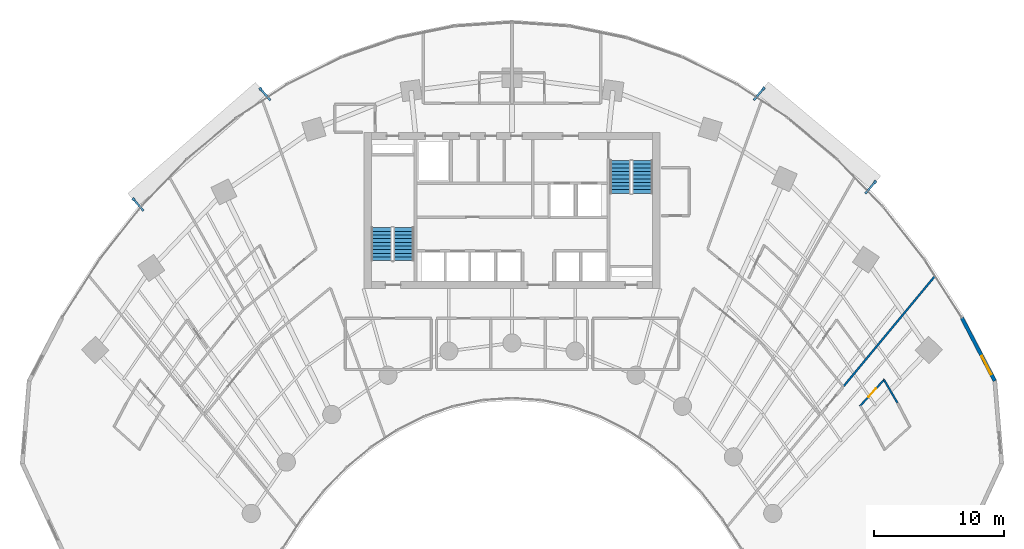
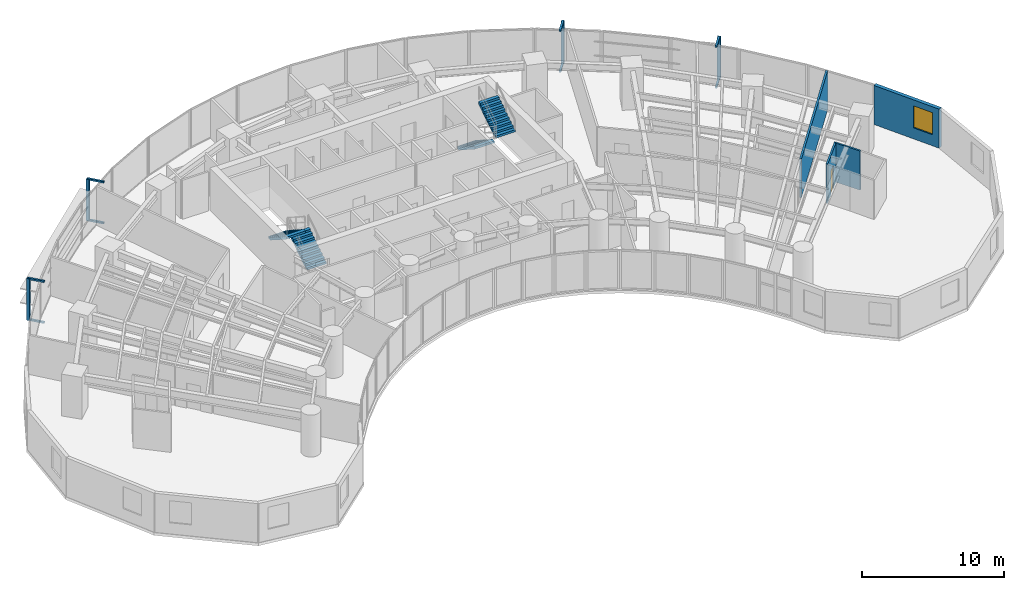
# One storey, part 15 of 17: 12 discrete accessories, 4 stair flights, 4 walls, 1 door, 1 window, 2 openings, 2 elements without a shape of their own.
"""IFC4 building model written with IfcOpenShell, lengths in metres."""

from ifc_helpers import new_model, si_unit, direction, frame, frame_2d, origin, origin_2d, place, context, subcontext, project, spatial, polyline, rectangle, outline, extrude, source, transform, mapped, material, layer, layer_set, type_object, type_shapes, element, fill, aggregate, save


model = new_model("IFC4")

# Units and contexts
model_context = context("Model", 3, precision=1e-05, world=origin(), true_north=direction((0.0, 1.0)))
body_context = subcontext(model_context, "Body", "Model", "MODEL_VIEW")
ifc_project = project(units=[si_unit("LENGTHUNIT", "METRE"), si_unit("AREAUNIT", "SQUARE_METRE"), si_unit("VOLUMEUNIT", "CUBIC_METRE"), si_unit("PLANEANGLEUNIT", "RADIAN"), si_unit("MASSUNIT", "GRAM", prefix="KILO")], contexts=[model_context])

# Site, building, storey
site_placement = place(None, origin())
site = spatial("IfcSite", under=ifc_project, at=site_placement, CompositionType="ELEMENT")
building_placement = place(site_placement, origin())
building = spatial("IfcBuilding", under=site, at=building_placement, Name="Breltana Convention Tower", CompositionType="ELEMENT")
storey_placement = place(building_placement, frame((0.0, 0.0, 49.800048828125)))
storey = spatial("IfcBuildingStorey", under=building, at=storey_placement, Name="L10", CompositionType="ELEMENT", Elevation=49.800048828125)

# Wall, opening, window
ifc_material_1 = material(Name="Limestone Buff Insulated Wall", Category="masonry")
ifc_layer_1 = layer(ifc_material_1, 0.280029296875, Name="Limestone Buff Insulated Wall")
ifc_layer_set_1 = layer_set([ifc_layer_1], Name="Limestone Buff Insulated Wall")
wall_type_1 = type_object("IfcWallType", Name="WL-EXT-NOSE-280", PredefinedType="SOLIDWALL", material=ifc_layer_set_1)
shared_shape_1 = source(origin(), body_context, "Body", "SweptSolid", [
    extrude(rectangle(XDim=5.45947265625, YDim=0.280029296875, at=frame_2d((2.729736328125, 0.0))), origin(), (0.0, 0.0, 1.0), 3.35986328125),
])
wall_1_placement = place(storey_placement, frame((82.531982421875, 57.964599609375, 0.0), z_axis=(0.0, 0.0, 1.0), x_axis=(0.461768054321, -0.887000712518, 0.0)))
wall_1 = element("IfcWall", 1, at=wall_1_placement, inside=storey, type_object=wall_type_1, Name="L10 curved limestone nose wall E7", PredefinedType="SOLIDWALL", context=body_context, shape_type="MappedRepresentation", body=[
    mapped(shared_shape_1, transform((0.0, 0.0, 0.0), scale=1.0)),
])
opening_1_placement = place(wall_1_placement, frame((3.294677734375, 0.0, 0.949951171875)))
opening_1 = element("IfcOpeningElement", 2, at=opening_1_placement, cuts=wall_1, Name="Opening W-04", PredefinedType="OPENING", context=body_context, shape_type="SweptSolid", body=[
    extrude(rectangle(XDim=1.60009765625, YDim=1.89990234375, at=frame_2d((0.800048828125, 0.949951171875))), frame((0.0, 0.14990234375, 0.0), z_axis=(0.0, -1.0, 0.0), x_axis=(1.0, 0.0, 0.0)), (0.0, 0.0, 1.0), 0.300048828125),
])
ifc_material_2 = material(Name="Glass Low-E Insulated Window", Category="glass")
window_type = type_object("IfcWindowType", Name="WN-NOSE-1600X1900", PartitioningType="SINGLE_PANEL", PredefinedType="WINDOW", material=ifc_material_2)
shared_shape_2 = source(origin(), body_context, "Body", "SweptSolid", [
    extrude(rectangle(XDim=1.60009765625, YDim=1.89990234375, at=frame_2d((0.800048828125, 0.949951171875))), frame((0.0, 0.030029296875, 0.0), z_axis=(0.0, -1.0, 0.0), x_axis=(1.0, 0.0, 0.0)), (0.0, 0.0, 1.0), 0.06005859375),
])
type_shapes(window_type, [shared_shape_2])
window_placement = place(opening_1_placement, origin())
window = element("IfcWindow", 3, at=window_placement, inside=storey, type_object=window_type, Name="L10 nose window E7", OverallHeight=1.89990234375, OverallWidth=1.60009765625, PartitioningType="SINGLE_PANEL", PredefinedType="WINDOW", context=body_context, shape_type="MappedRepresentation", body=[
    mapped(shared_shape_2, transform((0.0, 0.0, 0.0), scale=1.0)),
])
fill(opening_1, window)

# Wall, opening, door
ifc_material_3 = material(Name="Moisture-Resistant En-Suite Partition")
ifc_layer_2 = layer(ifc_material_3, 0.139892578125, Name="Moisture-Resistant En-Suite Partition")
ifc_layer_set_2 = layer_set([ifc_layer_2], Name="Moisture-Resistant En-Suite Partition")
wall_type_2 = type_object("IfcWallType", Name="WL-WET-150", PredefinedType="PARTITIONING", material=ifc_layer_set_2)
shared_shape_3 = source(origin(), body_context, "Body", "SweptSolid", [
    extrude(rectangle(XDim=2.812255859375, YDim=0.139892578125, at=frame_2d((1.40625, 0.0))), origin(), (0.0, 0.0, 1.0), 3.35986328125),
])
wall_2_placement = place(storey_placement, frame((74.69677734375, 51.176513671875, 0.0), z_axis=(0.0, 0.0, 1.0), x_axis=(0.675119025852, 0.737708818527, 0.0)))
wall_2 = element("IfcWall", 4, at=wall_2_placement, inside=storey, type_object=wall_type_2, Name="L10 interior partition W-L10-CSENS-E-W", PredefinedType="PARTITIONING", context=body_context, shape_type="MappedRepresentation", body=[
    mapped(shared_shape_3, transform((0.0, 0.0, 0.0), scale=1.0)),
])
opening_2_placement = place(wall_2_placement, frame((0.981201171875, 0.0, 0.0)))
opening_2 = element("IfcOpeningElement", 5, at=opening_2_placement, cuts=wall_2, Name="Opening D-21", PredefinedType="OPENING", context=body_context, shape_type="SweptSolid", body=[
    extrude(rectangle(XDim=0.85009765625, YDim=2.050048828125, at=frame_2d((0.425048828125, 1.02490234375))), frame((0.0, 0.080078125, 0.0), z_axis=(0.0, -1.0, 0.0), x_axis=(1.0, 0.0, 0.0)), (0.0, 0.0, 1.0), 0.159912109375),
])
ifc_material_4 = material(Name="Timber Moisture-Resistant En-Suite Door", Category="wood")
door_type = type_object("IfcDoorType", Name="DR-WET-850", OperationType="NOTDEFINED", PredefinedType="DOOR", material=ifc_material_4)
shared_shape_4 = source(origin(), body_context, "Body", "SweptSolid", [
    extrude(rectangle(XDim=0.85009765625, YDim=2.050048828125, at=frame_2d((0.425048828125, 1.02490234375))), frame((0.0, 0.02490234375, 0.0), z_axis=(0.0, -1.0, 0.0), x_axis=(1.0, 0.0, 0.0)), (0.0, 0.0, 1.0), 0.050048828125),
])
type_shapes(door_type, [shared_shape_4])
door_placement = place(opening_2_placement, origin())
door = element("IfcDoor", 6, at=door_placement, inside=storey, type_object=door_type, Name="L10 interior door D-L10-CSENS-E", OperationType="SINGLE_SWING_RIGHT", OverallHeight=2.050048828125, OverallWidth=0.85009765625, PredefinedType="DOOR", context=body_context, shape_type="MappedRepresentation", body=[
    mapped(shared_shape_4, transform((0.0, 0.0, 0.0), scale=1.0)),
])
fill(opening_2, door)

# Walls
shared_shape_5 = source(origin(), body_context, "Body", "SweptSolid", [
    extrude(rectangle(XDim=2.044677734375, YDim=0.139892578125, at=frame_2d((1.0224609375, 0.0))), origin(), (0.0, 0.0, 1.0), 3.35986328125),
])
wall_3_placement = place(storey_placement, frame((76.556640625, 53.208984375, 0.0), z_axis=(0.0, 0.0, 1.0), x_axis=(0.5023112139, -0.864686905411, 0.0)))
element("IfcWall", 7, at=wall_3_placement, inside=storey, type_object=wall_type_2, Name="L10 interior partition W-L10-CSENS-E-B2A", PredefinedType="PARTITIONING", context=body_context, shape_type="MappedRepresentation", body=[
    mapped(shared_shape_5, transform((0.0, 0.0, 0.0), scale=1.0)),
])
ifc_material_5 = material(Name="Gypsum Acoustic Drywall Partition")
ifc_layer_3 = layer(ifc_material_5, 0.14990234375, Name="Gypsum Acoustic Drywall Partition")
ifc_layer_set_3 = layer_set([ifc_layer_3], Name="Gypsum Acoustic Drywall Partition")
wall_type_3 = type_object("IfcWallType", Name="WL-PART-150", PredefinedType="PARTITIONING", material=ifc_layer_set_3)
shared_shape_6 = source(origin(), body_context, "Body", "SweptSolid", [
    extrude(rectangle(XDim=10.974609375, YDim=0.14990234375, at=frame_2d((5.4873046875, 0.0))), origin(), (0.0, 0.0, 1.0), 3.35986328125),
])
wall_4_placement = place(storey_placement, frame((73.460205078125, 52.71875, 0.0), z_axis=(0.0, 0.0, 1.0), x_axis=(0.638125265812, 0.769932558821, 0.0)))
element("IfcWall", 8, at=wall_4_placement, inside=storey, type_object=wall_type_3, Name="L10 interior partition W-L10-HS04-RB", PredefinedType="PARTITIONING", context=body_context, shape_type="MappedRepresentation", body=[
    mapped(shared_shape_6, transform((0.0, 0.0, 0.0), scale=1.0)),
])

# Stair, stair flights
ifc_material_6 = material(Name="Concrete C40/50", Category="concrete")
stair_type = type_object("IfcStairType", Name="ST-DOG-1560-R180", PredefinedType="HALF_TURN_STAIR", material=ifc_material_6)
stair_1_placement = place(storey_placement, origin())
stair_1 = element("IfcStair", 9, at=stair_1_placement, inside=storey, type_object=stair_type, Name="L10 Protected Core Exit Stair ST-1", PredefinedType="HALF_TURN_STAIR")
stair_flight_type = type_object("IfcStairFlightType", Name="STF-DOG-1560-N10-R180", PredefinedType="STRAIGHT", material=ifc_material_6)
stair_flight_1_placement = place(storey_placement, frame((39.68994140625, 62.360107421875, 0.0), z_axis=(0.0, 0.0, 1.0), x_axis=(0.0, 1.0, 0.0)))
stair_flight_1 = element("IfcStairFlight", 10, at=stair_flight_1_placement, type_object=stair_flight_type, Name="ST-1 flight 1", NumberOfRisers=10, NumberOfTreads=9, PredefinedType="STRAIGHT", RiserHeight=0.18, TreadLength=0.28, context=body_context, shape_type="SweptSolid", body=[
    extrude(outline(polyline([(0.0, 0.0), (0.0, 0.179931640625), (0.280029296875, 0.179931640625), (0.280029296875, 0.360107421875), (0.56005859375, 0.360107421875), (0.56005859375, 0.5400390625), (0.840087890625, 0.5400390625), (0.840087890625, 0.719970703125), (1.1201171875, 0.719970703125), (1.1201171875, 0.89990234375), (1.39990234375, 0.89990234375), (1.39990234375, 1.080078125), (1.679931640625, 1.080078125), (1.679931640625, 1.260009765625), (1.9599609375, 1.260009765625), (1.9599609375, 1.43994140625), (2.239990234375, 1.43994140625), (2.239990234375, 1.6201171875), (2.52001953125, 1.6201171875), (2.52001953125, 1.800048828125), (2.52001953125, 1.44189453125), (0.277099609375, 0.0), (0.0, 0.0)])), frame((0.0, 0.780029296875, 0.0), z_axis=(0.0, -1.0, 0.0), x_axis=(1.0, 0.0, 0.0)), (0.0, 0.0, 1.0), 1.56005859375),
])
stair_flight_2_placement = place(storey_placement, frame((37.97998046875, 64.8798828125, 1.800048828125), z_axis=(0.0, 0.0, 1.0), x_axis=(0.0, -1.0, 0.0)))
stair_flight_2 = element("IfcStairFlight", 11, at=stair_flight_2_placement, type_object=stair_flight_type, Name="ST-1 flight 2", NumberOfRisers=10, NumberOfTreads=9, PredefinedType="STRAIGHT", RiserHeight=0.18, TreadLength=0.28, context=body_context, shape_type="SweptSolid", body=[
    extrude(outline(polyline([(0.0, 0.0), (0.0, 0.179931640625), (0.280029296875, 0.179931640625), (0.280029296875, 0.360107421875), (0.56005859375, 0.360107421875), (0.56005859375, 0.5400390625), (0.840087890625, 0.5400390625), (0.840087890625, 0.719970703125), (1.1201171875, 0.719970703125), (1.1201171875, 0.89990234375), (1.39990234375, 0.89990234375), (1.39990234375, 1.080078125), (1.679931640625, 1.080078125), (1.679931640625, 1.260009765625), (1.9599609375, 1.260009765625), (1.9599609375, 1.43994140625), (2.239990234375, 1.43994140625), (2.239990234375, 1.6201171875), (2.52001953125, 1.6201171875), (2.52001953125, 1.800048828125), (2.52001953125, 1.44189453125), (0.277099609375, 0.0), (0.0, 0.0)])), frame((0.0, 0.780029296875, 0.0), z_axis=(0.0, -1.0, 0.0), x_axis=(1.0, 0.0, 0.0)), (0.0, 0.0, 1.0), 1.56005859375),
])
aggregate(stair_1, [stair_flight_1, stair_flight_2])

stair_2_placement = place(storey_placement, origin())
stair_2 = element("IfcStair", 12, at=stair_2_placement, inside=storey, type_object=stair_type, Name="L10 Protected Core Exit Stair ST-2", PredefinedType="HALF_TURN_STAIR")
stair_flight_3_placement = place(storey_placement, frame((56.31005859375, 70.0400390625, 0.0), z_axis=(0.0, 0.0, 1.0), x_axis=(0.0, -1.0, 0.0)))
stair_flight_3 = element("IfcStairFlight", 13, at=stair_flight_3_placement, type_object=stair_flight_type, Name="ST-2 flight 1", NumberOfRisers=10, NumberOfTreads=9, PredefinedType="STRAIGHT", RiserHeight=0.18, TreadLength=0.28, context=body_context, shape_type="SweptSolid", body=[
    extrude(outline(polyline([(0.0, 0.0), (0.0, 0.179931640625), (0.280029296875, 0.179931640625), (0.280029296875, 0.360107421875), (0.56005859375, 0.360107421875), (0.56005859375, 0.5400390625), (0.840087890625, 0.5400390625), (0.840087890625, 0.719970703125), (1.1201171875, 0.719970703125), (1.1201171875, 0.89990234375), (1.39990234375, 0.89990234375), (1.39990234375, 1.080078125), (1.679931640625, 1.080078125), (1.679931640625, 1.260009765625), (1.9599609375, 1.260009765625), (1.9599609375, 1.43994140625), (2.239990234375, 1.43994140625), (2.239990234375, 1.6201171875), (2.52001953125, 1.6201171875), (2.52001953125, 1.800048828125), (2.52001953125, 1.44189453125), (0.277099609375, 0.0), (0.0, 0.0)])), frame((0.0, 0.780029296875, 0.0), z_axis=(0.0, -1.0, 0.0), x_axis=(1.0, 0.0, 0.0)), (0.0, 0.0, 1.0), 1.56005859375),
])
stair_flight_4_placement = place(storey_placement, frame((58.02001953125, 67.52001953125, 1.800048828125), z_axis=(0.0, 0.0, 1.0), x_axis=(0.0, 1.0, 0.0)))
stair_flight_4 = element("IfcStairFlight", 14, at=stair_flight_4_placement, type_object=stair_flight_type, Name="ST-2 flight 2", NumberOfRisers=10, NumberOfTreads=9, PredefinedType="STRAIGHT", RiserHeight=0.18, TreadLength=0.28, context=body_context, shape_type="SweptSolid", body=[
    extrude(outline(polyline([(0.0, 0.0), (0.0, 0.179931640625), (0.280029296875, 0.179931640625), (0.280029296875, 0.360107421875), (0.56005859375, 0.360107421875), (0.56005859375, 0.5400390625), (0.840087890625, 0.5400390625), (0.840087890625, 0.719970703125), (1.1201171875, 0.719970703125), (1.1201171875, 0.89990234375), (1.39990234375, 0.89990234375), (1.39990234375, 1.080078125), (1.679931640625, 1.080078125), (1.679931640625, 1.260009765625), (1.9599609375, 1.260009765625), (1.9599609375, 1.43994140625), (2.239990234375, 1.43994140625), (2.239990234375, 1.6201171875), (2.52001953125, 1.6201171875), (2.52001953125, 1.800048828125), (2.52001953125, 1.44189453125), (0.277099609375, 0.0), (0.0, 0.0)])), frame((0.0, 0.780029296875, 0.0), z_axis=(0.0, -1.0, 0.0), x_axis=(1.0, 0.0, 0.0)), (0.0, 0.0, 1.0), 1.56005859375),
])
aggregate(stair_2, [stair_flight_3, stair_flight_4])

# Discrete accessories
ifc_material_7 = material(Name="Steel S355", Category="steel")
discrete_accessory_type_1 = type_object("IfcDiscreteAccessoryType", Name="ACC-DSF-BRACKET-150", PredefinedType="BRACKET", material=ifc_material_7)
shared_shape_7 = source(origin(), body_context, "Body", "SweptSolid", [
    extrude(rectangle(XDim=1.239990234375, YDim=0.14990234375, at=origin_2d()), origin(), (0.0, 0.0, 1.0), 0.139892578125),
])
type_shapes(discrete_accessory_type_1, [shared_shape_7])
for number, where, z_axis, x_axis, name in (
    (15, (19.310791015625, 66.643798828125, -0.16015625), (0.0, 0.0, 1.0), (-0.656456838663, 0.754363585397, 0.0), "L10 double-skin slab stand-off bracket 1.1B"),
    (16, (19.310791015625, 66.643798828125, 3.35986328125), (0.0, 0.0, 1.0), (-0.656456838663, 0.754363585397, 0.0), "L10 double-skin slab stand-off bracket 1.1T"),
    (17, (29.052978515625, 75.121337890625, -0.16015625), (0.0, 0.0, 1.0), (-0.656456838663, 0.754363585397, 0.0), "L10 double-skin slab stand-off bracket 1.2B"),
    (18, (29.052978515625, 75.121337890625, 3.35986328125), (0.0, 0.0, 1.0), (-0.656456838663, 0.754363585397, 0.0), "L10 double-skin slab stand-off bracket 1.2T"),
    (19, (66.954833984375, 75.1435546875, -0.16015625), (0.0, 0.0, 1.0), (0.641990162706, 0.76671287389, 0.0), "L10 double-skin slab stand-off bracket 2.1B"),
    (20, (66.954833984375, 75.1435546875, 3.35986328125), (0.0, 0.0, 1.0), (0.641990162706, 0.76671287389, 0.0), "L10 double-skin slab stand-off bracket 2.1T"),
    (21, (75.516357421875, 67.974853515625, -0.16015625), (0.0, 0.0, 1.0), (0.641990162706, 0.76671287389, 0.0), "L10 double-skin slab stand-off bracket 2.2B"),
    (22, (75.516357421875, 67.974853515625, 3.35986328125), (0.0, 0.0, 1.0), (0.641990162706, 0.76671287389, 0.0), "L10 double-skin slab stand-off bracket 2.2T"),
):
    element("IfcDiscreteAccessory", number, at=place(storey_placement, frame(where, z_axis=z_axis, x_axis=x_axis)), inside=storey, type_object=discrete_accessory_type_1, Name=name, PredefinedType="BRACKET", context=body_context, shape_type="MappedRepresentation", body=[
        mapped(shared_shape_7, transform((0.0, 0.0, 0.0), scale=1.0)),
    ])
discrete_accessory_type_2 = type_object("IfcDiscreteAccessoryType", Name="ACC-DSF-CARRIER-150", PredefinedType="BRACKET", material=ifc_material_7)
shared_shape_8 = source(origin(), body_context, "Body", "SweptSolid", [
    extrude(rectangle(XDim=0.219970703125, YDim=0.219970703125, at=origin_2d()), origin(), (0.0, 0.0, 1.0), 3.580078125),
])
for number, where, z_axis, x_axis, name in (
    (23, (18.943115234375, 67.066162109375, -0.1201171875), (0.0, 0.0, 1.0), (-0.656456838663, 0.754363585397, 0.0), "L10 double-skin outer vertical carrier 1.1"),
    (24, (28.685302734375, 75.5439453125, -0.1201171875), (0.0, 0.0, 1.0), (-0.656456838663, 0.754363585397, 0.0), "L10 double-skin outer vertical carrier 1.2"),
    (25, (67.314453125, 75.57275390625, -0.1201171875), (0.0, 0.0, 1.0), (0.641990162706, 0.76671287389, 0.0), "L10 double-skin outer vertical carrier 2.1"),
    (26, (75.875732421875, 68.404052734375, -0.1201171875), (0.0, 0.0, 1.0), (0.641990162706, 0.76671287389, 0.0), "L10 double-skin outer vertical carrier 2.2"),
):
    element("IfcDiscreteAccessory", number, at=place(storey_placement, frame(where, z_axis=z_axis, x_axis=x_axis)), inside=storey, type_object=discrete_accessory_type_2, Name=name, PredefinedType="BRACKET", context=body_context, shape_type="MappedRepresentation", body=[
        mapped(shared_shape_8, transform((0.0, 0.0, 0.0), scale=1.0)),
    ])

save(model, "model.ifc")
